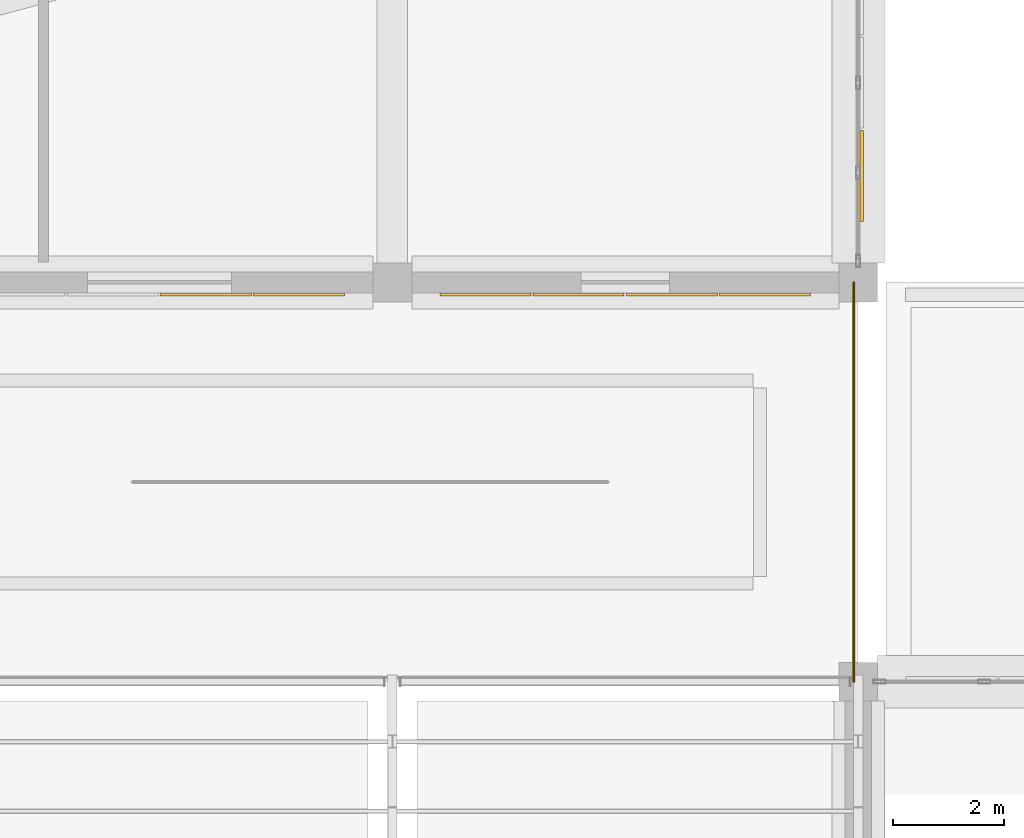
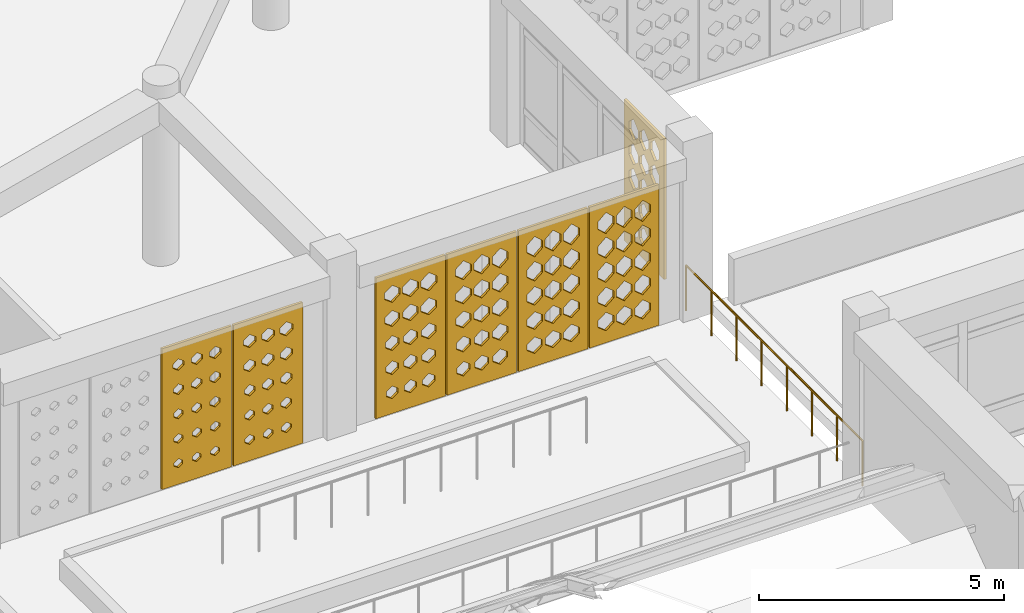
# One storey, part 78 of 100: 7 coverings, 1 railing.
"""IFC4 building model written with IfcOpenShell, lengths in metres."""

from ifc_helpers import new_model, si_unit, derived_unit, direction, frame, origin, origin_2d, place, context, subcontext, project, spatial, polyline, circle, outline, extrude, material, layer, layer_set, type_object, element, save


model = new_model("IFC4")

# Units and contexts
model_context = context("Model", 3, precision=1e-05, world=origin(), true_north=direction((0.0, 1.0)))
body_context = subcontext(model_context, "Body", "Model", "MODEL_VIEW")
ifc_project = project(units=[si_unit("LENGTHUNIT", "METRE"), si_unit("AREAUNIT", "SQUARE_METRE"), si_unit("VOLUMEUNIT", "CUBIC_METRE"), si_unit("PLANEANGLEUNIT", "RADIAN"), si_unit("MASSUNIT", "GRAM", prefix="KILO"), derived_unit("THERMALTRANSMITTANCEUNIT", [(si_unit("POWERUNIT", "WATT"), 1), (si_unit("LENGTHUNIT", "METRE"), -2), (si_unit("THERMODYNAMICTEMPERATUREUNIT", "KELVIN"), -1)])], contexts=[model_context])

# Site, building, storey
site_placement = place(None, origin())
site = spatial("IfcSite", under=ifc_project, at=site_placement, CompositionType="ELEMENT")
building_placement = place(site_placement, origin())
building = spatial("IfcBuilding", under=site, at=building_placement, Name="Veybourne Emporium", CompositionType="ELEMENT")
storey_placement = place(building_placement, frame((0.0, 0.0, 14.39990234375)))
storey = spatial("IfcBuildingStorey", under=building, at=storey_placement, Name="L03", CompositionType="ELEMENT", Elevation=14.39990234375)

# Railing
ifc_material_1 = material(Name="Patinated Architectural Bronze", Category="bronze")
railing_type = type_object("IfcRailingType", Name="Guard_GR-02", PredefinedType="GUARDRAIL", material=ifc_material_1)
railing_placement = place(storey_placement, frame((92.320068359375, 28.800048828125, 0.0)))
element("IfcRailing", 1, at=railing_placement, inside=storey, type_object=railing_type, Name="L03 terrace perimeter guardrail 006", PredefinedType="GUARDRAIL", context=body_context, shape_type="SweptSolid", body=[
    extrude(circle(Radius=0.02392578125, at=origin_2d()), frame((0.0, 0.0, 1.1259765625), z_axis=(0.0, -1.0, 0.0), x_axis=(1.0, 0.0, 0.0)), (0.0, 0.0, 1.0), 7.199951171875),
    extrude(circle(Radius=0.02099609375, at=origin_2d()), origin(), (0.0, 0.0, 1.0), 1.101806640625),
    extrude(circle(Radius=0.02099609375, at=origin_2d()), frame((0.0, -1.028564453125, 0.0)), (0.0, 0.0, 1.0), 1.101806640625),
    extrude(circle(Radius=0.02099609375, at=origin_2d()), frame((0.0, -2.05712890625, 0.0)), (0.0, 0.0, 1.0), 1.101806640625),
    extrude(circle(Radius=0.02099609375, at=origin_2d()), frame((0.0, -3.085693359375, 0.0)), (0.0, 0.0, 1.0), 1.101806640625),
    extrude(circle(Radius=0.02099609375, at=origin_2d()), frame((0.0, -4.1142578125, 0.0)), (0.0, 0.0, 1.0), 1.101806640625),
    extrude(circle(Radius=0.02099609375, at=origin_2d()), frame((0.0, -5.142822265625, 0.0)), (0.0, 0.0, 1.0), 1.101806640625),
    extrude(circle(Radius=0.02099609375, at=origin_2d()), frame((0.0, -6.17138671875, 0.0)), (0.0, 0.0, 1.0), 1.101806640625),
    extrude(circle(Radius=0.02099609375, at=origin_2d()), frame((0.0, -7.199951171875, 0.0)), (0.0, 0.0, 1.0), 1.101806640625),
])

# Coverings
ifc_material_2 = material(Name="Warm-White Perforated Aluminium Screen Alloy", Category="aluminium")
ifc_layer_1 = layer(ifc_material_2, 0.06005859375)
ifc_layer_set_1 = layer_set([ifc_layer_1], Name="Warm-White Perforated Aluminium Screen Alloy")
covering_type_1 = type_object("IfcCoveringType", Name="WaveScreen_SCR-01", PredefinedType="CLADDING", material=ifc_layer_set_1)
covering_1_placement = place(storey_placement, frame((80.639892578125, 28.552001953125, 1.815185546875), z_axis=(0.0, 1.0, 0.0), x_axis=(-1.0, 0.0, 0.0)))
element("IfcCovering", 2, at=covering_1_placement, inside=storey, type_object=covering_type_1, Name="L03 wave-perforated aluminium screen SCR-01 (39T.2)", PredefinedType="CLADDING", context=body_context, shape_type="SweptSolid", body=[
    extrude(outline(polyline([(-0.81982421875, -1.7548828125), (0.81982421875, -1.7548828125), (0.81982421875, 1.7548828125), (-0.81982421875, 1.7548828125), (-0.81982421875, -1.7548828125)]), holes=[polyline([(-0.433349609375, -1.1123046875), (-0.32861328125, -1.186279296875), (-0.32861328125, -1.26953125), (-0.433349609375, -1.34375), (-0.5380859375, -1.26953125), (-0.5380859375, -1.186279296875), (-0.433349609375, -1.1123046875)]), polyline([(-0.433349609375, -0.4921875), (-0.323486328125, -0.570068359375), (-0.323486328125, -0.657958984375), (-0.433349609375, -0.73583984375), (-0.543212890625, -0.657958984375), (-0.543212890625, -0.570068359375), (-0.433349609375, -0.4921875)]), polyline([(-0.433349609375, 0.13037109375), (-0.316650390625, 0.046875), (-0.316650390625, -0.046875), (-0.433349609375, -0.13037109375), (-0.5498046875, -0.046875), (-0.5498046875, 0.046875), (-0.433349609375, 0.13037109375)]), polyline([(-0.433349609375, 0.75439453125), (-0.308349609375, 0.66455078125), (-0.308349609375, 0.5634765625), (-0.433349609375, 0.473388671875), (-0.558349609375, 0.5634765625), (-0.558349609375, 0.66455078125), (-0.433349609375, 0.75439453125)]), polyline([(-0.433349609375, 1.380126953125), (-0.298828125, 1.28271484375), (-0.298828125, 1.173095703125), (-0.433349609375, 1.07568359375), (-0.56787109375, 1.173095703125), (-0.56787109375, 1.28271484375), (-0.433349609375, 1.380126953125)]), polyline([(0.0, -1.114501953125), (0.102783203125, -1.18701171875), (0.102783203125, -1.268798828125), (0.0, -1.341552734375), (-0.102783203125, -1.268798828125), (-0.102783203125, -1.18701171875), (0.0, -1.114501953125)]), polyline([(0.0, -0.4951171875), (0.107177734375, -0.5712890625), (0.107177734375, -0.65673828125), (0.0, -0.73291015625), (-0.107177734375, -0.65673828125), (-0.107177734375, -0.5712890625), (0.0, -0.4951171875)]), polyline([(0.0, 0.126220703125), (0.11328125, 0.04541015625), (0.11328125, -0.04541015625), (0.0, -0.126220703125), (-0.11328125, -0.04541015625), (-0.11328125, 0.04541015625), (0.0, 0.126220703125)]), polyline([(0.0, 0.74951171875), (0.12109375, 0.662841796875), (0.12109375, 0.565185546875), (0.0, 0.478515625), (-0.12109375, 0.565185546875), (-0.12109375, 0.662841796875), (0.0, 0.74951171875)]), polyline([(0.0, 1.374755859375), (0.1298828125, 1.28076171875), (0.1298828125, 1.17529296875), (0.0, 1.081298828125), (-0.1298828125, 1.17529296875), (-0.1298828125, 1.28076171875), (0.0, 1.374755859375)]), polyline([(0.433349609375, -1.1162109375), (0.534912109375, -1.187744140625), (0.534912109375, -1.268310546875), (0.433349609375, -1.33984375), (0.331787109375, -1.268310546875), (0.331787109375, -1.187744140625), (0.433349609375, -1.1162109375)]), polyline([(0.433349609375, -0.497802734375), (0.538330078125, -0.572265625), (0.538330078125, -0.65576171875), (0.433349609375, -0.72998046875), (0.328369140625, -0.65576171875), (0.328369140625, -0.572265625), (0.433349609375, -0.497802734375)]), polyline([(0.433349609375, 0.12255859375), (0.543701171875, 0.044189453125), (0.543701171875, -0.044189453125), (0.433349609375, -0.12255859375), (0.322998046875, -0.044189453125), (0.322998046875, 0.044189453125), (0.433349609375, 0.12255859375)]), polyline([(0.433349609375, 0.7451171875), (0.550537109375, 0.6611328125), (0.550537109375, 0.56689453125), (0.433349609375, 0.48291015625), (0.31591796875, 0.56689453125), (0.31591796875, 0.6611328125), (0.433349609375, 0.7451171875)]), polyline([(0.433349609375, 1.369384765625), (0.55908203125, 1.27880859375), (0.55908203125, 1.177001953125), (0.433349609375, 1.08642578125), (0.3076171875, 1.177001953125), (0.3076171875, 1.27880859375), (0.433349609375, 1.369384765625)])]), origin(), (0.0, 0.0, 1.0), 0.06005859375),
])
covering_2_placement = place(storey_placement, frame((85.679931640625, 28.552001953125, 1.815185546875), z_axis=(0.0, 1.0, 0.0), x_axis=(-1.0, 0.0, 0.0)))
element("IfcCovering", 3, at=covering_2_placement, inside=storey, type_object=covering_type_1, Name="L03 wave-perforated aluminium screen SCR-01 (41T.4)", PredefinedType="CLADDING", context=body_context, shape_type="SweptSolid", body=[
    extrude(outline(polyline([(-0.81982421875, -1.7548828125), (0.81982421875, -1.7548828125), (0.81982421875, 1.7548828125), (-0.81982421875, 1.7548828125), (-0.81982421875, -1.7548828125)]), holes=[polyline([(-0.433349609375, -1.05908203125), (-0.28515625, -1.167236328125), (-0.28515625, -1.288818359375), (-0.433349609375, -1.396728515625), (-0.58154296875, -1.288818359375), (-0.58154296875, -1.167236328125), (-0.433349609375, -1.05908203125)]), polyline([(-0.433349609375, -0.431396484375), (-0.27392578125, -0.548095703125), (-0.27392578125, -0.6796875), (-0.433349609375, -0.796630859375), (-0.5927734375, -0.6796875), (-0.5927734375, -0.548095703125), (-0.433349609375, -0.431396484375)]), polyline([(-0.433349609375, 0.19677734375), (-0.26220703125, 0.07080078125), (-0.26220703125, -0.07080078125), (-0.433349609375, -0.19677734375), (-0.6044921875, -0.07080078125), (-0.6044921875, 0.07080078125), (-0.433349609375, 0.19677734375)]), polyline([(-0.433349609375, 0.824951171875), (-0.250732421875, 0.68994140625), (-0.250732421875, 0.5380859375), (-0.433349609375, 0.403076171875), (-0.615966796875, 0.5380859375), (-0.615966796875, 0.68994140625), (-0.433349609375, 0.824951171875)]), polyline([(-0.433349609375, 1.452392578125), (-0.2470703125, 1.308837890625), (-0.2470703125, 1.147216796875), (-0.433349609375, 1.003662109375), (-0.61962890625, 1.147216796875), (-0.61962890625, 1.308837890625), (-0.433349609375, 1.452392578125)]), polyline([(0.0, -1.065185546875), (0.14306640625, -1.16943359375), (0.14306640625, -1.28662109375), (0.0, -1.390625), (-0.14306640625, -1.28662109375), (-0.14306640625, -1.16943359375), (0.0, -1.065185546875)]), polyline([(0.0, -0.437744140625), (0.154296875, -0.550537109375), (0.154296875, -0.677490234375), (0.0, -0.790283203125), (-0.154296875, -0.677490234375), (-0.154296875, -0.550537109375), (0.0, -0.437744140625)]), polyline([(0.0, 0.1904296875), (0.165771484375, 0.068603515625), (0.165771484375, -0.068603515625), (0.0, -0.1904296875), (-0.165771484375, -0.068603515625), (-0.165771484375, 0.068603515625), (0.0, 0.1904296875)]), polyline([(0.0, 0.818603515625), (0.177490234375, 0.6875), (0.177490234375, 0.540283203125), (0.0, 0.409423828125), (-0.177490234375, 0.540283203125), (-0.177490234375, 0.6875), (0.0, 0.818603515625)]), polyline([(0.0, 1.4462890625), (0.186279296875, 1.306640625), (0.186279296875, 1.1494140625), (0.0, 1.009765625), (-0.186279296875, 1.1494140625), (-0.186279296875, 1.306640625), (0.0, 1.4462890625)]), polyline([(0.433349609375, -1.0712890625), (0.571533203125, -1.17138671875), (0.571533203125, -1.284423828125), (0.433349609375, -1.384765625), (0.294921875, -1.284423828125), (0.294921875, -1.17138671875), (0.433349609375, -1.0712890625)]), polyline([(0.433349609375, -0.44384765625), (0.58251953125, -0.552734375), (0.58251953125, -0.67529296875), (0.433349609375, -0.7841796875), (0.2841796875, -0.67529296875), (0.2841796875, -0.552734375), (0.433349609375, -0.44384765625)]), polyline([(0.433349609375, 0.18408203125), (0.593994140625, 0.066162109375), (0.593994140625, -0.066162109375), (0.433349609375, -0.18408203125), (0.272705078125, -0.066162109375), (0.272705078125, 0.066162109375), (0.433349609375, 0.18408203125)]), polyline([(0.433349609375, 0.812255859375), (0.60546875, 0.685302734375), (0.60546875, 0.542724609375), (0.433349609375, 0.415771484375), (0.26123046875, 0.542724609375), (0.26123046875, 0.685302734375), (0.433349609375, 0.812255859375)]), polyline([(0.433349609375, 1.440185546875), (0.616943359375, 1.304443359375), (0.616943359375, 1.151611328125), (0.433349609375, 1.015869140625), (0.249755859375, 1.151611328125), (0.249755859375, 1.304443359375), (0.433349609375, 1.440185546875)])]), origin(), (0.0, 0.0, 1.0), 0.06005859375),
])
covering_3_placement = place(storey_placement, frame((92.494140625, 30.719970703125, 1.815185546875), z_axis=(-1.0, 0.0, 0.0), x_axis=(0.0, -1.0, 0.0)))
element("IfcCovering", 4, at=covering_3_placement, inside=storey, type_object=covering_type_1, Name="L03 wave-perforated aluminium screen SCR-01 (42C.3)", PredefinedType="CLADDING", context=body_context, shape_type="SweptSolid", body=[
    extrude(outline(polyline([(-0.81982421875, -1.7548828125), (0.81982421875, -1.7548828125), (0.81982421875, 1.7548828125), (-0.81982421875, 1.7548828125), (-0.81982421875, -1.7548828125)]), holes=[polyline([(-0.433349609375, -0.964111328125), (-0.2470703125, -1.133056640625), (-0.2470703125, -1.322998046875), (-0.433349609375, -1.491943359375), (-0.61962890625, -1.322998046875), (-0.61962890625, -1.133056640625), (-0.433349609375, -0.964111328125)]), polyline([(-0.433349609375, -0.35009765625), (-0.2470703125, -0.51904296875), (-0.2470703125, -0.708984375), (-0.433349609375, -0.8779296875), (-0.61962890625, -0.708984375), (-0.61962890625, -0.51904296875), (-0.433349609375, -0.35009765625)]), polyline([(-0.433349609375, 0.263916015625), (-0.2470703125, 0.094970703125), (-0.2470703125, -0.094970703125), (-0.433349609375, -0.263916015625), (-0.61962890625, -0.094970703125), (-0.61962890625, 0.094970703125), (-0.433349609375, 0.263916015625)]), polyline([(-0.433349609375, 0.8779296875), (-0.2470703125, 0.708984375), (-0.2470703125, 0.51904296875), (-0.433349609375, 0.35009765625), (-0.61962890625, 0.51904296875), (-0.61962890625, 0.708984375), (-0.433349609375, 0.8779296875)]), polyline([(-0.433349609375, 1.491943359375), (-0.2470703125, 1.322998046875), (-0.2470703125, 1.133056640625), (-0.433349609375, 0.964111328125), (-0.61962890625, 1.133056640625), (-0.61962890625, 1.322998046875), (-0.433349609375, 1.491943359375)]), polyline([(0.0, -0.964111328125), (0.186279296875, -1.133056640625), (0.186279296875, -1.322998046875), (0.0, -1.491943359375), (-0.186279296875, -1.322998046875), (-0.186279296875, -1.133056640625), (0.0, -0.964111328125)]), polyline([(0.0, -0.35009765625), (0.186279296875, -0.51904296875), (0.186279296875, -0.708984375), (0.0, -0.8779296875), (-0.186279296875, -0.708984375), (-0.186279296875, -0.51904296875), (0.0, -0.35009765625)]), polyline([(0.0, 0.263916015625), (0.186279296875, 0.094970703125), (0.186279296875, -0.094970703125), (0.0, -0.263916015625), (-0.186279296875, -0.094970703125), (-0.186279296875, 0.094970703125), (0.0, 0.263916015625)]), polyline([(0.0, 0.8779296875), (0.186279296875, 0.708984375), (0.186279296875, 0.51904296875), (0.0, 0.35009765625), (-0.186279296875, 0.51904296875), (-0.186279296875, 0.708984375), (0.0, 0.8779296875)]), polyline([(0.0, 1.491943359375), (0.186279296875, 1.322998046875), (0.186279296875, 1.133056640625), (0.0, 0.964111328125), (-0.186279296875, 1.133056640625), (-0.186279296875, 1.322998046875), (0.0, 1.491943359375)]), polyline([(0.433349609375, -0.964111328125), (0.61962890625, -1.133056640625), (0.61962890625, -1.322998046875), (0.433349609375, -1.491943359375), (0.2470703125, -1.322998046875), (0.2470703125, -1.133056640625), (0.433349609375, -0.964111328125)]), polyline([(0.433349609375, -0.35009765625), (0.61962890625, -0.51904296875), (0.61962890625, -0.708984375), (0.433349609375, -0.8779296875), (0.2470703125, -0.708984375), (0.2470703125, -0.51904296875), (0.433349609375, -0.35009765625)]), polyline([(0.433349609375, 0.263916015625), (0.61962890625, 0.094970703125), (0.61962890625, -0.094970703125), (0.433349609375, -0.263916015625), (0.2470703125, -0.094970703125), (0.2470703125, 0.094970703125), (0.433349609375, 0.263916015625)]), polyline([(0.433349609375, 0.8779296875), (0.61962890625, 0.708984375), (0.61962890625, 0.51904296875), (0.433349609375, 0.35009765625), (0.2470703125, 0.51904296875), (0.2470703125, 0.708984375), (0.433349609375, 0.8779296875)]), polyline([(0.433349609375, 1.491943359375), (0.61962890625, 1.322998046875), (0.61962890625, 1.133056640625), (0.433349609375, 0.964111328125), (0.2470703125, 1.133056640625), (0.2470703125, 1.322998046875), (0.433349609375, 1.491943359375)])]), origin(), (0.0, 0.0, 1.0), 0.06005859375),
])
ifc_layer_2 = layer(ifc_material_2, 0.06005859375)
ifc_layer_set_2 = layer_set([ifc_layer_2], Name="Warm-White Perforated Aluminium Screen Alloy")
covering_type_2 = type_object("IfcCoveringType", Name="WaveScreen_SCR-02", PredefinedType="CLADDING", material=ifc_layer_set_2)
covering_4_placement = place(storey_placement, frame((90.719970703125, 28.552001953125, 1.815185546875), z_axis=(0.0, 1.0, 0.0), x_axis=(-1.0, 0.0, 0.0)))
element("IfcCovering", 5, at=covering_4_placement, inside=storey, type_object=covering_type_2, Name="L03 wave-perforated aluminium screen SCR-02 (41T.1)", PredefinedType="CLADDING", context=body_context, shape_type="SweptSolid", body=[
    extrude(outline(polyline([(-0.81982421875, -1.7548828125), (0.81982421875, -1.7548828125), (0.81982421875, 1.7548828125), (-0.81982421875, 1.7548828125), (-0.81982421875, -1.7548828125)]), holes=[polyline([(-0.433349609375, -0.98779296875), (-0.2470703125, -1.1416015625), (-0.2470703125, -1.314453125), (-0.433349609375, -1.46826171875), (-0.61962890625, -1.314453125), (-0.61962890625, -1.1416015625), (-0.433349609375, -0.98779296875)]), polyline([(-0.433349609375, -0.363037109375), (-0.2470703125, -0.523681640625), (-0.2470703125, -0.704345703125), (-0.433349609375, -0.864990234375), (-0.61962890625, -0.704345703125), (-0.61962890625, -0.523681640625), (-0.433349609375, -0.363037109375)]), polyline([(-0.433349609375, 0.260009765625), (-0.2470703125, 0.093505859375), (-0.2470703125, -0.093505859375), (-0.433349609375, -0.260009765625), (-0.61962890625, -0.093505859375), (-0.61962890625, 0.093505859375), (-0.433349609375, 0.260009765625)]), polyline([(-0.433349609375, 0.8779296875), (-0.2470703125, 0.708984375), (-0.2470703125, 0.51904296875), (-0.433349609375, 0.35009765625), (-0.61962890625, 0.51904296875), (-0.61962890625, 0.708984375), (-0.433349609375, 0.8779296875)]), polyline([(-0.433349609375, 1.491943359375), (-0.2470703125, 1.322998046875), (-0.2470703125, 1.133056640625), (-0.433349609375, 0.964111328125), (-0.61962890625, 1.133056640625), (-0.61962890625, 1.322998046875), (-0.433349609375, 1.491943359375)]), polyline([(0.0, -0.9931640625), (0.186279296875, -1.1435546875), (0.186279296875, -1.3125), (0.0, -1.462890625), (-0.186279296875, -1.3125), (-0.186279296875, -1.1435546875), (0.0, -0.9931640625)]), polyline([(0.0, -0.36767578125), (0.186279296875, -0.525390625), (0.186279296875, -0.70263671875), (0.0, -0.8603515625), (-0.186279296875, -0.70263671875), (-0.186279296875, -0.525390625), (0.0, -0.36767578125)]), polyline([(0.0, 0.256103515625), (0.186279296875, 0.09228515625), (0.186279296875, -0.09228515625), (0.0, -0.256103515625), (-0.186279296875, -0.09228515625), (-0.186279296875, 0.09228515625), (0.0, 0.256103515625)]), polyline([(0.0, 0.8779296875), (0.186279296875, 0.708984375), (0.186279296875, 0.51904296875), (0.0, 0.35009765625), (-0.186279296875, 0.51904296875), (-0.186279296875, 0.708984375), (0.0, 0.8779296875)]), polyline([(0.0, 1.491943359375), (0.186279296875, 1.322998046875), (0.186279296875, 1.133056640625), (0.0, 0.964111328125), (-0.186279296875, 1.133056640625), (-0.186279296875, 1.322998046875), (0.0, 1.491943359375)]), polyline([(0.433349609375, -0.998779296875), (0.61962890625, -1.1455078125), (0.61962890625, -1.310546875), (0.433349609375, -1.45703125), (0.2470703125, -1.310546875), (0.2470703125, -1.1455078125), (0.433349609375, -0.998779296875)]), polyline([(0.433349609375, -0.372802734375), (0.61962890625, -0.527099609375), (0.61962890625, -0.70068359375), (0.433349609375, -0.855224609375), (0.2470703125, -0.70068359375), (0.2470703125, -0.527099609375), (0.433349609375, -0.372802734375)]), polyline([(0.433349609375, 0.251953125), (0.61962890625, 0.0908203125), (0.61962890625, -0.0908203125), (0.433349609375, -0.251953125), (0.2470703125, -0.0908203125), (0.2470703125, 0.0908203125), (0.433349609375, 0.251953125)]), polyline([(0.433349609375, 0.874755859375), (0.61962890625, 0.7080078125), (0.61962890625, 0.52001953125), (0.433349609375, 0.353271484375), (0.2470703125, 0.52001953125), (0.2470703125, 0.7080078125), (0.433349609375, 0.874755859375)]), polyline([(0.433349609375, 1.491943359375), (0.61962890625, 1.322998046875), (0.61962890625, 1.133056640625), (0.433349609375, 0.964111328125), (0.2470703125, 1.133056640625), (0.2470703125, 1.322998046875), (0.433349609375, 1.491943359375)])]), origin(), (0.0, 0.0, 1.0), 0.06005859375),
])
ifc_layer_3 = layer(ifc_material_2, 0.06005859375)
ifc_layer_set_3 = layer_set([ifc_layer_3], Name="Warm-White Perforated Aluminium Screen Alloy")
covering_type_3 = type_object("IfcCoveringType", Name="WaveScreen_SCR-03", PredefinedType="CLADDING", material=ifc_layer_set_3)
covering_5_placement = place(storey_placement, frame((89.0400390625, 28.552001953125, 1.815185546875), z_axis=(0.0, 1.0, 0.0), x_axis=(-1.0, 0.0, 0.0)))
element("IfcCovering", 6, at=covering_5_placement, inside=storey, type_object=covering_type_3, Name="L03 wave-perforated aluminium screen SCR-03 (41T.2)", PredefinedType="CLADDING", context=body_context, shape_type="SweptSolid", body=[
    extrude(outline(polyline([(-0.81982421875, -1.7548828125), (0.81982421875, -1.7548828125), (0.81982421875, 1.7548828125), (-0.81982421875, 1.7548828125), (-0.81982421875, -1.7548828125)]), holes=[polyline([(-0.433349609375, -1.010009765625), (-0.2470703125, -1.1494140625), (-0.2470703125, -1.306396484375), (-0.433349609375, -1.44580078125), (-0.61962890625, -1.306396484375), (-0.61962890625, -1.1494140625), (-0.433349609375, -1.010009765625)]), polyline([(-0.433349609375, -0.383056640625), (-0.2470703125, -0.53076171875), (-0.2470703125, -0.697265625), (-0.433349609375, -0.844970703125), (-0.61962890625, -0.697265625), (-0.61962890625, -0.53076171875), (-0.433349609375, -0.383056640625)]), polyline([(-0.433349609375, 0.242919921875), (-0.2470703125, 0.08740234375), (-0.2470703125, -0.08740234375), (-0.433349609375, -0.242919921875), (-0.61962890625, -0.08740234375), (-0.61962890625, 0.08740234375), (-0.433349609375, 0.242919921875)]), polyline([(-0.433349609375, 0.8671875), (-0.2470703125, 0.705078125), (-0.2470703125, 0.522705078125), (-0.433349609375, 0.360595703125), (-0.61962890625, 0.522705078125), (-0.61962890625, 0.705078125), (-0.433349609375, 0.8671875)]), polyline([(-0.433349609375, 1.489990234375), (-0.2470703125, 1.322265625), (-0.2470703125, 1.1337890625), (-0.433349609375, 0.966064453125), (-0.61962890625, 1.1337890625), (-0.61962890625, 1.322265625), (-0.433349609375, 1.489990234375)]), polyline([(0.0, -1.01611328125), (0.183349609375, -1.15185546875), (0.183349609375, -1.30419921875), (0.0, -1.439697265625), (-0.183349609375, -1.30419921875), (-0.183349609375, -1.15185546875), (0.0, -1.01611328125)]), polyline([(0.0, -0.388916015625), (0.186279296875, -0.532958984375), (0.186279296875, -0.695068359375), (0.0, -0.839111328125), (-0.186279296875, -0.695068359375), (-0.186279296875, -0.532958984375), (0.0, -0.388916015625)]), polyline([(0.0, 0.23779296875), (0.186279296875, 0.085693359375), (0.186279296875, -0.085693359375), (0.0, -0.23779296875), (-0.186279296875, -0.085693359375), (-0.186279296875, 0.085693359375), (0.0, 0.23779296875)]), polyline([(0.0, 0.86279296875), (0.186279296875, 0.70361328125), (0.186279296875, 0.5244140625), (0.0, 0.365234375), (-0.186279296875, 0.5244140625), (-0.186279296875, 0.70361328125), (0.0, 0.86279296875)]), polyline([(0.0, 1.486328125), (0.186279296875, 1.321044921875), (0.186279296875, 1.135009765625), (0.0, 0.9697265625), (-0.186279296875, 1.135009765625), (-0.186279296875, 1.321044921875), (0.0, 1.486328125)]), polyline([(0.433349609375, -1.022705078125), (0.611328125, -1.154052734375), (0.611328125, -1.302001953125), (0.433349609375, -1.433349609375), (0.255126953125, -1.302001953125), (0.255126953125, -1.154052734375), (0.433349609375, -1.022705078125)]), polyline([(0.433349609375, -0.394775390625), (0.61962890625, -0.53515625), (0.61962890625, -0.69287109375), (0.433349609375, -0.833251953125), (0.2470703125, -0.69287109375), (0.2470703125, -0.53515625), (0.433349609375, -0.394775390625)]), polyline([(0.433349609375, 0.232177734375), (0.61962890625, 0.08349609375), (0.61962890625, -0.08349609375), (0.433349609375, -0.232177734375), (0.2470703125, -0.08349609375), (0.2470703125, 0.08349609375), (0.433349609375, 0.232177734375)]), polyline([(0.433349609375, 0.85791015625), (0.61962890625, 0.701904296875), (0.61962890625, 0.526123046875), (0.433349609375, 0.3701171875), (0.2470703125, 0.526123046875), (0.2470703125, 0.701904296875), (0.433349609375, 0.85791015625)]), polyline([(0.433349609375, 1.482177734375), (0.61962890625, 1.319580078125), (0.61962890625, 1.136474609375), (0.433349609375, 0.973876953125), (0.2470703125, 1.136474609375), (0.2470703125, 1.319580078125), (0.433349609375, 1.482177734375)])]), origin(), (0.0, 0.0, 1.0), 0.06005859375),
])
ifc_layer_4 = layer(ifc_material_2, 0.06005859375)
ifc_layer_set_4 = layer_set([ifc_layer_4], Name="Warm-White Perforated Aluminium Screen Alloy")
covering_type_4 = type_object("IfcCoveringType", Name="WaveScreen_SCR-04", PredefinedType="CLADDING", material=ifc_layer_set_4)
covering_6_placement = place(storey_placement, frame((82.320068359375, 28.552001953125, 1.815185546875), z_axis=(0.0, 1.0, 0.0), x_axis=(-1.0, 0.0, 0.0)))
element("IfcCovering", 7, at=covering_6_placement, inside=storey, type_object=covering_type_4, Name="L03 wave-perforated aluminium screen SCR-04 (39T.1)", PredefinedType="CLADDING", context=body_context, shape_type="SweptSolid", body=[
    extrude(outline(polyline([(-0.81982421875, -1.7548828125), (0.81982421875, -1.7548828125), (0.81982421875, 1.7548828125), (-0.81982421875, 1.7548828125), (-0.81982421875, -1.7548828125)]), holes=[polyline([(-0.433349609375, -1.099853515625), (-0.318603515625, -1.181884765625), (-0.318603515625, -1.274169921875), (-0.433349609375, -1.356201171875), (-0.548095703125, -1.274169921875), (-0.548095703125, -1.181884765625), (-0.433349609375, -1.099853515625)]), polyline([(-0.433349609375, -0.476318359375), (-0.310546875, -0.564453125), (-0.310546875, -0.66357421875), (-0.433349609375, -0.751708984375), (-0.55615234375, -0.66357421875), (-0.55615234375, -0.564453125), (-0.433349609375, -0.476318359375)]), polyline([(-0.433349609375, 0.149169921875), (-0.30126953125, 0.0537109375), (-0.30126953125, -0.0537109375), (-0.433349609375, -0.149169921875), (-0.5654296875, -0.0537109375), (-0.5654296875, 0.0537109375), (-0.433349609375, 0.149169921875)]), polyline([(-0.433349609375, 0.77587890625), (-0.291015625, 0.67236328125), (-0.291015625, 0.5556640625), (-0.433349609375, 0.4521484375), (-0.57568359375, 0.5556640625), (-0.57568359375, 0.67236328125), (-0.433349609375, 0.77587890625)]), polyline([(-0.433349609375, 1.4033203125), (-0.27978515625, 1.291259765625), (-0.27978515625, 1.164794921875), (-0.433349609375, 1.052490234375), (-0.5869140625, 1.164794921875), (-0.5869140625, 1.291259765625), (-0.433349609375, 1.4033203125)]), polyline([(0.0, -1.103759765625), (0.11181640625, -1.183349609375), (0.11181640625, -1.272705078125), (0.0, -1.352294921875), (-0.11181640625, -1.272705078125), (-0.11181640625, -1.183349609375), (0.0, -1.103759765625)]), polyline([(0.0, -0.480712890625), (0.118896484375, -0.56591796875), (0.118896484375, -0.662109375), (0.0, -0.747314453125), (-0.118896484375, -0.662109375), (-0.118896484375, -0.56591796875), (0.0, -0.480712890625)]), polyline([(0.0, 0.143798828125), (0.127685546875, 0.0517578125), (0.127685546875, -0.0517578125), (0.0, -0.143798828125), (-0.127685546875, -0.0517578125), (-0.127685546875, 0.0517578125), (0.0, 0.143798828125)]), polyline([(0.0, 0.77001953125), (0.1376953125, 0.670166015625), (0.1376953125, 0.557861328125), (0.0, 0.4580078125), (-0.1376953125, 0.557861328125), (-0.1376953125, 0.670166015625), (0.0, 0.77001953125)]), polyline([(0.0, 1.397216796875), (0.1484375, 1.288818359375), (0.1484375, 1.1669921875), (0.0, 1.058837890625), (-0.1484375, 1.1669921875), (-0.1484375, 1.288818359375), (0.0, 1.397216796875)]), polyline([(0.433349609375, -1.107177734375), (0.542236328125, -1.1845703125), (0.542236328125, -1.271484375), (0.433349609375, -1.348876953125), (0.324462890625, -1.271484375), (0.324462890625, -1.1845703125), (0.433349609375, -1.107177734375)]), polyline([(0.433349609375, -0.485107421875), (0.548828125, -0.567626953125), (0.548828125, -0.660400390625), (0.433349609375, -0.742919921875), (0.31787109375, -0.660400390625), (0.31787109375, -0.567626953125), (0.433349609375, -0.485107421875)]), polyline([(0.433349609375, 0.138916015625), (0.556884765625, 0.050048828125), (0.556884765625, -0.050048828125), (0.433349609375, -0.138916015625), (0.309814453125, -0.050048828125), (0.309814453125, 0.050048828125), (0.433349609375, 0.138916015625)]), polyline([(0.433349609375, 0.764404296875), (0.56640625, 0.668212890625), (0.56640625, 0.559814453125), (0.433349609375, 0.463623046875), (0.30029296875, 0.559814453125), (0.30029296875, 0.668212890625), (0.433349609375, 0.764404296875)]), polyline([(0.433349609375, 1.39111328125), (0.576904296875, 1.28662109375), (0.576904296875, 1.169189453125), (0.433349609375, 1.06494140625), (0.289794921875, 1.169189453125), (0.289794921875, 1.28662109375), (0.433349609375, 1.39111328125)])]), origin(), (0.0, 0.0, 1.0), 0.06005859375),
])
covering_7_placement = place(storey_placement, frame((87.360107421875, 28.552001953125, 1.815185546875), z_axis=(0.0, 1.0, 0.0), x_axis=(-1.0, 0.0, 0.0)))
element("IfcCovering", 8, at=covering_7_placement, inside=storey, type_object=covering_type_4, Name="L03 wave-perforated aluminium screen SCR-04 (41T.3)", PredefinedType="CLADDING", context=body_context, shape_type="SweptSolid", body=[
    extrude(outline(polyline([(-0.81982421875, -1.7548828125), (0.81982421875, -1.7548828125), (0.81982421875, 1.7548828125), (-0.81982421875, 1.7548828125), (-0.81982421875, -1.7548828125)]), holes=[polyline([(-0.433349609375, -1.03466796875), (-0.26513671875, -1.158447265625), (-0.26513671875, -1.297607421875), (-0.433349609375, -1.42138671875), (-0.6015625, -1.297607421875), (-0.6015625, -1.158447265625), (-0.433349609375, -1.03466796875)]), polyline([(-0.433349609375, -0.406494140625), (-0.25341796875, -0.539306640625), (-0.25341796875, -0.688720703125), (-0.433349609375, -0.821533203125), (-0.613037109375, -0.688720703125), (-0.613037109375, -0.539306640625), (-0.433349609375, -0.406494140625)]), polyline([(-0.433349609375, 0.22119140625), (-0.2470703125, 0.07958984375), (-0.2470703125, -0.07958984375), (-0.433349609375, -0.22119140625), (-0.61962890625, -0.07958984375), (-0.61962890625, 0.07958984375), (-0.433349609375, 0.22119140625)]), polyline([(-0.433349609375, 0.847900390625), (-0.2470703125, 0.6982421875), (-0.2470703125, 0.52978515625), (-0.433349609375, 0.3798828125), (-0.61962890625, 0.52978515625), (-0.61962890625, 0.6982421875), (-0.433349609375, 0.847900390625)]), polyline([(-0.433349609375, 1.4736328125), (-0.2470703125, 1.31640625), (-0.2470703125, 1.1396484375), (-0.433349609375, 0.982421875), (-0.61962890625, 1.1396484375), (-0.61962890625, 1.31640625), (-0.433349609375, 1.4736328125)]), polyline([(0.0, -1.041015625), (0.1630859375, -1.16064453125), (0.1630859375, -1.29541015625), (0.0, -1.4150390625), (-0.1630859375, -1.29541015625), (-0.1630859375, -1.16064453125), (0.0, -1.041015625)]), polyline([(0.0, -0.412841796875), (0.174560546875, -0.54150390625), (0.174560546875, -0.686279296875), (0.0, -0.815185546875), (-0.174560546875, -0.686279296875), (-0.174560546875, -0.54150390625), (0.0, -0.412841796875)]), polyline([(0.0, 0.215087890625), (0.18603515625, 0.077392578125), (0.18603515625, -0.077392578125), (0.0, -0.215087890625), (-0.18603515625, -0.077392578125), (-0.18603515625, 0.077392578125), (0.0, 0.215087890625)]), polyline([(0.0, 0.84228515625), (0.186279296875, 0.6962890625), (0.186279296875, 0.53173828125), (0.0, 0.3857421875), (-0.186279296875, 0.53173828125), (-0.186279296875, 0.6962890625), (0.0, 0.84228515625)]), polyline([(0.0, 1.468505859375), (0.186279296875, 1.314697265625), (0.186279296875, 1.141357421875), (0.0, 0.987548828125), (-0.186279296875, 1.141357421875), (-0.186279296875, 1.314697265625), (0.0, 1.468505859375)]), polyline([(0.433349609375, -1.04736328125), (0.591064453125, -1.1630859375), (0.591064453125, -1.29296875), (0.433349609375, -1.40869140625), (0.275634765625, -1.29296875), (0.275634765625, -1.1630859375), (0.433349609375, -1.04736328125)]), polyline([(0.433349609375, -0.419189453125), (0.602783203125, -0.5439453125), (0.602783203125, -0.68408203125), (0.433349609375, -0.80859375), (0.263916015625, -0.68408203125), (0.263916015625, -0.5439453125), (0.433349609375, -0.419189453125)]), polyline([(0.433349609375, 0.208740234375), (0.6142578125, 0.0751953125), (0.6142578125, -0.0751953125), (0.433349609375, -0.208740234375), (0.25244140625, -0.0751953125), (0.25244140625, 0.0751953125), (0.433349609375, 0.208740234375)]), polyline([(0.433349609375, 0.83642578125), (0.61962890625, 0.694091796875), (0.61962890625, 0.533935546875), (0.433349609375, 0.3916015625), (0.2470703125, 0.533935546875), (0.2470703125, 0.694091796875), (0.433349609375, 0.83642578125)]), polyline([(0.433349609375, 1.463134765625), (0.61962890625, 1.3125), (0.61962890625, 1.143310546875), (0.433349609375, 0.992919921875), (0.2470703125, 1.143310546875), (0.2470703125, 1.3125), (0.433349609375, 1.463134765625)])]), origin(), (0.0, 0.0, 1.0), 0.06005859375),
])

save(model, "model.ifc")
